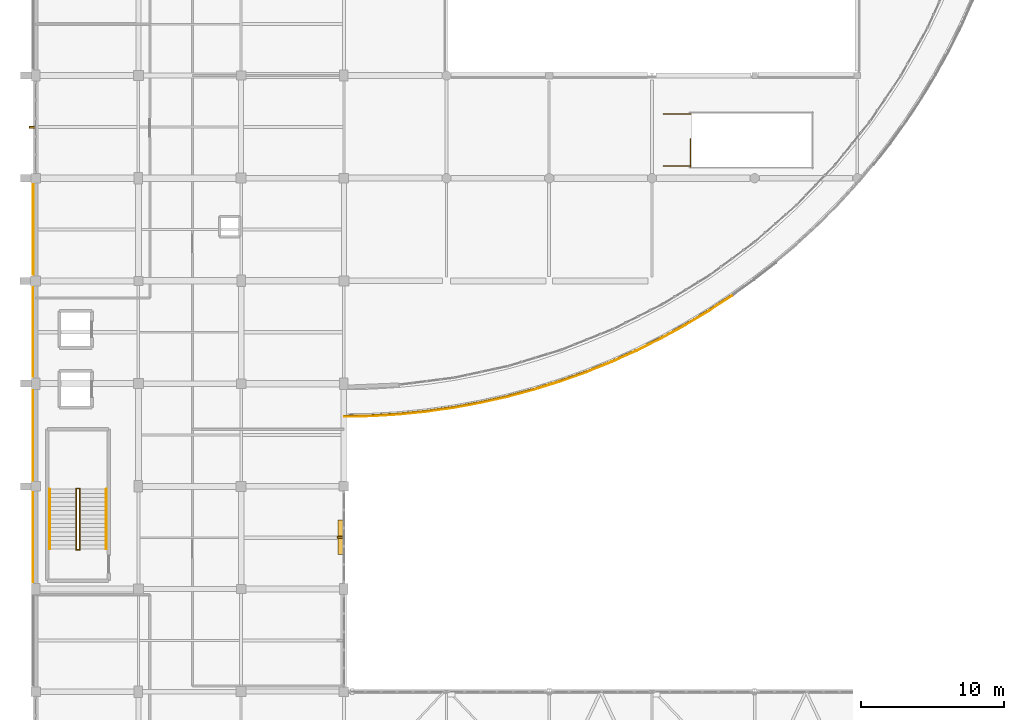
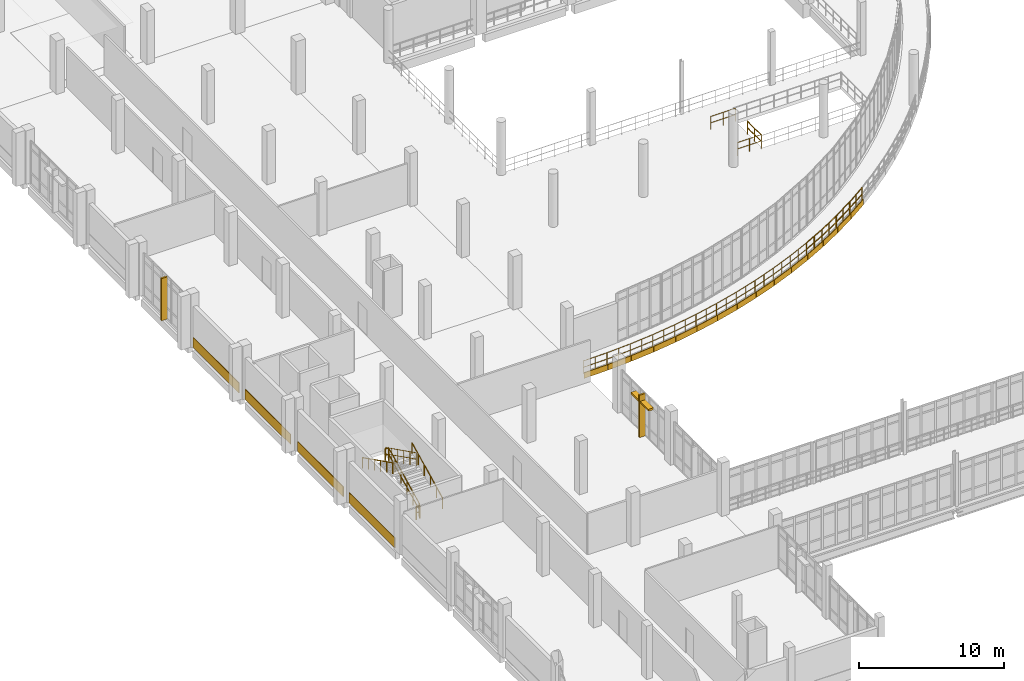
# One storey, part 110 of 116: 24 railings, 19 coverings, 3 shading devices.
"""IFC4 building model written with IfcOpenShell, lengths in metres."""

from ifc_helpers import new_model, si_unit, direction, frame, origin, origin_2d, place, context, subcontext, project, spatial, rectangle, circle, extrude, material, layer, layer_set, type_object, element, save


model = new_model("IFC4")

# Units and contexts
model_context = context("Model", 3, precision=1e-05, world=origin(), true_north=direction((0.0, 1.0)))
body_context = subcontext(model_context, "Body", "Model", "MODEL_VIEW")
ifc_project = project(units=[si_unit("LENGTHUNIT", "METRE"), si_unit("AREAUNIT", "SQUARE_METRE"), si_unit("VOLUMEUNIT", "CUBIC_METRE"), si_unit("PLANEANGLEUNIT", "RADIAN"), si_unit("MASSUNIT", "GRAM", prefix="KILO")], contexts=[model_context])

# Site, building, storey
site_placement = place(None, origin())
site = spatial("IfcSite", under=ifc_project, at=site_placement, CompositionType="ELEMENT")
building_placement = place(site_placement, origin())
building = spatial("IfcBuilding", under=site, at=building_placement, Name="Kalluvel Institute of Natural Sciences", CompositionType="ELEMENT")
storey_placement = place(building_placement, frame((0.0, 0.0, 14.39990234375)))
storey = spatial("IfcBuildingStorey", under=building, at=storey_placement, Name="L03", CompositionType="ELEMENT", Elevation=14.39990234375)

# Coverings
ifc_material_1 = material(Name="Sadarahalli Grey Granite Ashlar Concrete M40", Category="masonry")
ifc_layer = layer(ifc_material_1, 0.044921875)
ifc_layer_set = layer_set([ifc_layer], Name="Sadarahalli Grey Granite Ashlar Concrete M40")
covering_type = type_object("IfcCoveringType", Name="COV-CLAD-STONE", PredefinedType="CLADDING", material=ifc_layer_set)
for number, where, z_axis, x_axis, name in (
    (1, (13.820068359375, 46.4375, 0.025146484375), (0.0, 0.0, 1.0), (0.0, 1.0, 0.0), "L03 Sadarahalli granite plinth spandrel cladding 162"),
    (2, (13.820068359375, 53.5625, 0.025146484375), (0.0, 0.0, 1.0), (0.0, 1.0, 0.0), "L03 Sadarahalli granite plinth spandrel cladding 163"),
):
    element("IfcCovering", number, at=place(storey_placement, frame(where, z_axis=z_axis, x_axis=x_axis)), inside=storey, type_object=covering_type, Name=name, PredefinedType="CLADDING", context=body_context, shape_type="SweptSolid", body=[
        extrude(rectangle(XDim=6.31494140625, YDim=0.044921875, at=origin_2d()), origin(), (0.0, 0.0, 1.0), 0.85009765625),
    ])
covering_1_placement = place(storey_placement, frame((13.820068359375, 60.824951171875, 0.025146484375), z_axis=(0.0, 0.0, 1.0), x_axis=(0.0, 1.0, 0.0)))
element("IfcCovering", 3, at=covering_1_placement, inside=storey, type_object=covering_type, Name="L03 Sadarahalli granite plinth spandrel cladding 164", PredefinedType="CLADDING", context=body_context, shape_type="SweptSolid", body=[
    extrude(rectangle(XDim=6.2900390625, YDim=0.044921875, at=origin_2d()), origin(), (0.0, 0.0, 1.0), 0.85009765625),
])
covering_2_placement = place(storey_placement, frame((13.830078125, 68.012451171875, 0.025146484375), z_axis=(0.0, 0.0, 1.0), x_axis=(0.0, 1.0, 0.0)))
element("IfcCovering", 4, at=covering_2_placement, inside=storey, type_object=covering_type, Name="L03 Sadarahalli granite plinth spandrel cladding 165", PredefinedType="CLADDING", context=body_context, shape_type="SweptSolid", body=[
    extrude(rectangle(XDim=6.364990234375, YDim=0.044921875, at=origin_2d()), origin(), (0.0, 0.0, 1.0), 0.85009765625),
])
for number, where, z_axis, x_axis, name in (
    (5, (36.564697265625, 54.909423828125, -0.31982421875), (0.0, 0.0, 1.0), (0.999798578493, 0.020069938784, 0.0), "L03 curved terrace Sadarahalli stone spandrel fascia 292"),
    (6, (38.4921875, 54.987060546875, -0.31982421875), (0.0, 0.0, 1.0), (0.9981771751, 0.06035169517, 0.0), "L03 curved terrace Sadarahalli stone spandrel fascia 293"),
    (7, (40.4150390625, 55.142333984375, -0.31982421875), (0.0, 0.0, 1.0), (0.994933485404, 0.100535365033, 0.0), "L03 curved terrace Sadarahalli stone spandrel fascia 294"),
    (8, (42.330078125, 55.374755859375, -0.31982421875), (0.0, 0.0, 1.0), (0.990072781208, 0.14055563991, 0.0), "L03 curved terrace Sadarahalli stone spandrel fascia 295"),
    (9, (44.234375, 55.684326171875, -0.31982421875), (0.0, 0.0, 1.0), (0.983634423958, 0.180175803048, 0.0), "L03 curved terrace Sadarahalli stone spandrel fascia 296"),
    (10, (46.12451171875, 56.0703125, -0.31982421875), (0.0, 0.0, 1.0), (0.975572899489, 0.219675938108, 0.0), "L03 curved terrace Sadarahalli stone spandrel fascia 297"),
    (11, (47.99755859375, 56.531982421875, -0.31982421875), (0.0, 0.0, 1.0), (0.965925826289, 0.258819045103, 0.0), "L03 curved terrace Sadarahalli stone spandrel fascia 298"),
    (12, (49.8505859375, 57.068603515625, -0.31982421875), (0.0, 0.0, 1.0), (0.954708883255, 0.297541506743, 0.0), "L03 curved terrace Sadarahalli stone spandrel fascia 299"),
    (13, (51.680419921875, 57.679443359375, -0.31982421875), (0.0, 0.0, 1.0), (0.941998891096, 0.335615984683, 0.0), "L03 curved terrace Sadarahalli stone spandrel fascia 300"),
    (14, (53.484130859375, 58.363525390625, -0.31982421875), (0.0, 0.0, 1.0), (0.927706000077, 0.373311635797, 0.0), "L03 curved terrace Sadarahalli stone spandrel fascia 301"),
    (15, (55.2587890625, 59.11962890625, -0.31982421875), (0.0, 0.0, 1.0), (0.911905355952, 0.410400562604, 0.0), "L03 curved terrace Sadarahalli stone spandrel fascia 302"),
    (16, (57.001708984375, 59.94677734375, -0.31982421875), (0.0, 0.0, 1.0), (0.894622638699, 0.446822486371, 0.0), "L03 curved terrace Sadarahalli stone spandrel fascia 303"),
    (17, (58.7099609375, 60.84326171875, -0.31982421875), (0.0, 0.0, 1.0), (0.875970139009, 0.482365334125, 0.0), "L03 curved terrace Sadarahalli stone spandrel fascia 304"),
    (18, (60.380615234375, 61.807861328125, -0.31982421875), (0.0, 0.0, 1.0), (0.855815998251, 0.517280366086, 0.0), "L03 curved terrace Sadarahalli stone spandrel fascia 305"),
    (19, (62.010986328125, 62.8388671875, -0.31982421875), (0.0, 0.0, 1.0), (0.834270943529, 0.551354688728, 0.0), "L03 curved terrace Sadarahalli stone spandrel fascia 306"),
):
    element("IfcCovering", number, at=place(storey_placement, frame(where, z_axis=z_axis, x_axis=x_axis)), inside=storey, type_object=covering_type, Name=name, PredefinedType="CLADDING", context=body_context, shape_type="SweptSolid", body=[
        extrude(rectangle(XDim=1.88916015625, YDim=0.054931640625, at=origin_2d()), origin(), (0.0, 0.0, 1.0), 0.47998046875),
    ])

# Railings
ifc_material_2 = material(Name="Steel E350 Grade 350", Category="steel")
railing_type_1 = type_object("IfcRailingType", Name="RL-BAL-EXT", PredefinedType="BALUSTRADE", material=ifc_material_2)
railing_1_placement = place(storey_placement, frame((35.60009765625, 54.969970703125, 0.0)))
element("IfcRailing", 20, at=railing_1_placement, inside=storey, type_object=railing_type_1, Name="L03 curved atrium terrace balustrade", PredefinedType="BALUSTRADE", context=body_context, shape_type="SweptSolid", body=[
    extrude(circle(Radius=0.02392578125, at=origin_2d()), frame((0.0, 0.0, 1.09619140625), z_axis=(0.999796905516, 0.020153106995, 0.0), x_axis=(-0.020153106995, 0.999796905516, 0.0)), (0.0, 0.0, 1.0), 1.92626953125),
    extrude(circle(Radius=0.02392578125, at=origin_2d()), frame((0.0, 0.0, 0.56005859375), z_axis=(0.999796905516, 0.020153106995, 0.0), x_axis=(-0.020153106995, 0.999796905516, 0.0)), (0.0, 0.0, 1.0), 1.92626953125),
    extrude(circle(Radius=0.02099609375, at=origin_2d()), origin(), (0.0, 0.0, 1.0), 1.072021484375),
    extrude(circle(Radius=0.02099609375, at=origin_2d()), frame((0.962890625, 0.01953125, 0.0)), (0.0, 0.0, 1.0), 1.072021484375),
    extrude(circle(Radius=0.02099609375, at=origin_2d()), frame((1.92578125, 0.038818359375, 0.0)), (0.0, 0.0, 1.0), 1.072021484375),
])
railing_2_placement = place(storey_placement, frame((37.52587890625, 55.0087890625, 0.0)))
element("IfcRailing", 21, at=railing_2_placement, inside=storey, type_object=railing_type_1, Name="L03 curved atrium terrace balustrade", PredefinedType="BALUSTRADE", context=body_context, shape_type="SweptSolid", body=[
    extrude(circle(Radius=0.02392578125, at=origin_2d()), frame((0.0, 0.0, 1.09619140625), z_axis=(0.998178686306, 0.060326695617, 0.0), x_axis=(-0.060326695617, 0.998178686306, 0.0)), (0.0, 0.0, 1.0), 1.92626953125),
    extrude(circle(Radius=0.02392578125, at=origin_2d()), frame((0.0, 0.0, 0.56005859375), z_axis=(0.998178686306, 0.060326695617, 0.0), x_axis=(-0.060326695617, 0.998178686306, 0.0)), (0.0, 0.0, 1.0), 1.92626953125),
    extrude(circle(Radius=0.02099609375, at=origin_2d()), origin(), (0.0, 0.0, 1.0), 1.072021484375),
    extrude(circle(Radius=0.02099609375, at=origin_2d()), frame((0.96142578125, 0.05810546875, 0.0)), (0.0, 0.0, 1.0), 1.072021484375),
    extrude(circle(Radius=0.02099609375, at=origin_2d()), frame((1.9228515625, 0.1162109375, 0.0)), (0.0, 0.0, 1.0), 1.072021484375),
])
railing_3_placement = place(storey_placement, frame((39.44873046875, 55.125, 0.0)))
element("IfcRailing", 22, at=railing_3_placement, inside=storey, type_object=railing_type_1, Name="L03 curved atrium terrace balustrade", PredefinedType="BALUSTRADE", context=body_context, shape_type="SweptSolid", body=[
    extrude(circle(Radius=0.02392578125, at=origin_2d()), frame((0.0, 0.0, 1.09619140625), z_axis=(0.994936292907, 0.100507577105, 0.0), x_axis=(-0.100507577105, 0.994936292907, 0.0)), (0.0, 0.0, 1.0), 1.92626953125),
    extrude(circle(Radius=0.02392578125, at=origin_2d()), frame((0.0, 0.0, 0.56005859375), z_axis=(0.994936292907, 0.100507577105, 0.0), x_axis=(-0.100507577105, 0.994936292907, 0.0)), (0.0, 0.0, 1.0), 1.92626953125),
    extrude(circle(Radius=0.02099609375, at=origin_2d()), origin(), (0.0, 0.0, 1.0), 1.072021484375),
    extrude(circle(Radius=0.02099609375, at=origin_2d()), frame((0.958251953125, 0.0966796875, 0.0)), (0.0, 0.0, 1.0), 1.072021484375),
    extrude(circle(Radius=0.02099609375, at=origin_2d()), frame((1.91650390625, 0.193603515625, 0.0)), (0.0, 0.0, 1.0), 1.072021484375),
])
railing_4_placement = place(storey_placement, frame((41.365234375, 55.318603515625, 0.0)))
element("IfcRailing", 23, at=railing_4_placement, inside=storey, type_object=railing_type_1, Name="L03 curved atrium terrace balustrade", PredefinedType="BALUSTRADE", context=body_context, shape_type="SweptSolid", body=[
    extrude(circle(Radius=0.02392578125, at=origin_2d()), frame((0.0, 0.0, 1.09619140625), z_axis=(0.990073314625, 0.140551882478, 0.0), x_axis=(-0.140551882478, 0.990073314625, 0.0)), (0.0, 0.0, 1.0), 1.92626953125),
    extrude(circle(Radius=0.02392578125, at=origin_2d()), frame((0.0, 0.0, 0.56005859375), z_axis=(0.990073314625, 0.140551882478, 0.0), x_axis=(-0.140551882478, 0.990073314625, 0.0)), (0.0, 0.0, 1.0), 1.92626953125),
    extrude(circle(Radius=0.02099609375, at=origin_2d()), origin(), (0.0, 0.0, 1.0), 1.072021484375),
    extrude(circle(Radius=0.02099609375, at=origin_2d()), frame((0.95361328125, 0.13525390625, 0.0)), (0.0, 0.0, 1.0), 1.072021484375),
    extrude(circle(Radius=0.02099609375, at=origin_2d()), frame((1.9072265625, 0.270751953125, 0.0)), (0.0, 0.0, 1.0), 1.072021484375),
])
railing_5_placement = place(storey_placement, frame((43.2724609375, 55.58935546875, 0.0)))
element("IfcRailing", 24, at=railing_5_placement, inside=storey, type_object=railing_type_1, Name="L03 curved atrium terrace balustrade", PredefinedType="BALUSTRADE", context=body_context, shape_type="SweptSolid", body=[
    extrude(circle(Radius=0.02392578125, at=origin_2d()), frame((0.0, 0.0, 1.09619140625), z_axis=(0.983625659861, 0.180223642356, 0.0), x_axis=(-0.180223642356, 0.983625659861, 0.0)), (0.0, 0.0, 1.0), 1.92626953125),
    extrude(circle(Radius=0.02392578125, at=origin_2d()), frame((0.0, 0.0, 0.56005859375), z_axis=(0.983625659861, 0.180223642356, 0.0), x_axis=(-0.180223642356, 0.983625659861, 0.0)), (0.0, 0.0, 1.0), 1.92626953125),
    extrude(circle(Radius=0.02099609375, at=origin_2d()), origin(), (0.0, 0.0, 1.0), 1.072021484375),
    extrude(circle(Radius=0.02099609375, at=origin_2d()), frame((0.947265625, 0.173583984375, 0.0)), (0.0, 0.0, 1.0), 1.072021484375),
    extrude(circle(Radius=0.02099609375, at=origin_2d()), frame((1.894775390625, 0.34716796875, 0.0)), (0.0, 0.0, 1.0), 1.072021484375),
])
railing_6_placement = place(storey_placement, frame((45.167236328125, 55.9365234375, 0.0)))
element("IfcRailing", 25, at=railing_6_placement, inside=storey, type_object=railing_type_1, Name="L03 curved atrium terrace balustrade", PredefinedType="BALUSTRADE", context=body_context, shape_type="SweptSolid", body=[
    extrude(circle(Radius=0.02392578125, at=origin_2d()), frame((0.0, 0.0, 1.09619140625), z_axis=(0.97555068407, 0.219774572714, 0.0), x_axis=(-0.219774572714, 0.97555068407, 0.0)), (0.0, 0.0, 1.0), 1.92626953125),
    extrude(circle(Radius=0.02392578125, at=origin_2d()), frame((0.0, 0.0, 0.56005859375), z_axis=(0.97555068407, 0.219774572714, 0.0), x_axis=(-0.219774572714, 0.97555068407, 0.0)), (0.0, 0.0, 1.0), 1.92626953125),
    extrude(circle(Radius=0.02099609375, at=origin_2d()), origin(), (0.0, 0.0, 1.0), 1.072021484375),
    extrude(circle(Radius=0.02099609375, at=origin_2d()), frame((0.939453125, 0.211669921875, 0.0)), (0.0, 0.0, 1.0), 1.072021484375),
    extrude(circle(Radius=0.02099609375, at=origin_2d()), frame((1.879150390625, 0.42333984375, 0.0)), (0.0, 0.0, 1.0), 1.072021484375),
])
railing_7_placement = place(storey_placement, frame((47.04638671875, 56.35986328125, 0.0)))
element("IfcRailing", 26, at=railing_7_placement, inside=storey, type_object=railing_type_1, Name="L03 curved atrium terrace balustrade", PredefinedType="BALUSTRADE", context=body_context, shape_type="SweptSolid", body=[
    extrude(circle(Radius=0.02392578125, at=origin_2d()), frame((0.0, 0.0, 1.09619140625), z_axis=(0.965927118939, 0.25881422082, 0.0), x_axis=(-0.25881422082, 0.965927118939, 0.0)), (0.0, 0.0, 1.0), 1.92626953125),
    extrude(circle(Radius=0.02392578125, at=origin_2d()), frame((0.0, 0.0, 0.56005859375), z_axis=(0.965927118939, 0.25881422082, 0.0), x_axis=(-0.25881422082, 0.965927118939, 0.0)), (0.0, 0.0, 1.0), 1.92626953125),
    extrude(circle(Radius=0.02099609375, at=origin_2d()), origin(), (0.0, 0.0, 1.0), 1.072021484375),
    extrude(circle(Radius=0.02099609375, at=origin_2d()), frame((0.93017578125, 0.249267578125, 0.0)), (0.0, 0.0, 1.0), 1.072021484375),
    extrude(circle(Radius=0.02099609375, at=origin_2d()), frame((1.860595703125, 0.49853515625, 0.0)), (0.0, 0.0, 1.0), 1.072021484375),
])
railing_8_placement = place(storey_placement, frame((48.906982421875, 56.8583984375, 0.0)))
element("IfcRailing", 27, at=railing_8_placement, inside=storey, type_object=railing_type_1, Name="L03 curved atrium terrace balustrade", PredefinedType="BALUSTRADE", context=body_context, shape_type="SweptSolid", body=[
    extrude(circle(Radius=0.02392578125, at=origin_2d()), frame((0.0, 0.0, 1.09619140625), z_axis=(0.954734463326, 0.297459416624, 0.0), x_axis=(-0.297459416624, 0.954734463326, 0.0)), (0.0, 0.0, 1.0), 1.92626953125),
    extrude(circle(Radius=0.02392578125, at=origin_2d()), frame((0.0, 0.0, 0.56005859375), z_axis=(0.954734463326, 0.297459416624, 0.0), x_axis=(-0.297459416624, 0.954734463326, 0.0)), (0.0, 0.0, 1.0), 1.92626953125),
    extrude(circle(Radius=0.02099609375, at=origin_2d()), origin(), (0.0, 0.0, 1.0), 1.072021484375),
    extrude(circle(Radius=0.02099609375, at=origin_2d()), frame((0.91943359375, 0.28662109375, 0.0)), (0.0, 0.0, 1.0), 1.072021484375),
    extrude(circle(Radius=0.02099609375, at=origin_2d()), frame((1.839111328125, 0.572998046875, 0.0)), (0.0, 0.0, 1.0), 1.072021484375),
])
railing_9_placement = place(storey_placement, frame((50.74609375, 57.431396484375, 0.0)))
element("IfcRailing", 28, at=railing_9_placement, inside=storey, type_object=railing_type_1, Name="L03 curved atrium terrace balustrade", PredefinedType="BALUSTRADE", context=body_context, shape_type="SweptSolid", body=[
    extrude(circle(Radius=0.02392578125, at=origin_2d()), frame((0.0, 0.0, 1.09619140625), z_axis=(0.941968202591, 0.335702107987, 0.0), x_axis=(-0.335702107987, 0.941968202591, 0.0)), (0.0, 0.0, 1.0), 1.926513671875),
    extrude(circle(Radius=0.02392578125, at=origin_2d()), frame((0.0, 0.0, 0.56005859375), z_axis=(0.941968202591, 0.335702107987, 0.0), x_axis=(-0.335702107987, 0.941968202591, 0.0)), (0.0, 0.0, 1.0), 1.926513671875),
    extrude(circle(Radius=0.02099609375, at=origin_2d()), origin(), (0.0, 0.0, 1.0), 1.072021484375),
    extrude(circle(Radius=0.02099609375, at=origin_2d()), frame((0.9072265625, 0.3232421875, 0.0)), (0.0, 0.0, 1.0), 1.072021484375),
    extrude(circle(Radius=0.02099609375, at=origin_2d()), frame((1.814697265625, 0.646728515625, 0.0)), (0.0, 0.0, 1.0), 1.072021484375),
])
railing_10_placement = place(storey_placement, frame((52.560791015625, 58.078125, 0.0)))
element("IfcRailing", 29, at=railing_10_placement, inside=storey, type_object=railing_type_1, Name="L03 curved atrium terrace balustrade", PredefinedType="BALUSTRADE", context=body_context, shape_type="SweptSolid", body=[
    extrude(circle(Radius=0.02392578125, at=origin_2d()), frame((0.0, 0.0, 1.09619140625), z_axis=(0.927687987585, 0.373356395004, 0.0), x_axis=(-0.373356395004, 0.927687987585, 0.0)), (0.0, 0.0, 1.0), 1.926513671875),
    extrude(circle(Radius=0.02392578125, at=origin_2d()), frame((0.0, 0.0, 0.56005859375), z_axis=(0.927687987585, 0.373356395004, 0.0), x_axis=(-0.373356395004, 0.927687987585, 0.0)), (0.0, 0.0, 1.0), 1.926513671875),
    extrude(circle(Radius=0.02099609375, at=origin_2d()), origin(), (0.0, 0.0, 1.0), 1.072021484375),
    extrude(circle(Radius=0.02099609375, at=origin_2d()), frame((0.8935546875, 0.359619140625, 0.0)), (0.0, 0.0, 1.0), 1.072021484375),
    extrude(circle(Radius=0.02099609375, at=origin_2d()), frame((1.787109375, 0.71923828125, 0.0)), (0.0, 0.0, 1.0), 1.072021484375),
])
railing_11_placement = place(storey_placement, frame((54.347900390625, 58.79736328125, 0.0)))
element("IfcRailing", 30, at=railing_11_placement, inside=storey, type_object=railing_type_1, Name="L03 curved atrium terrace balustrade", PredefinedType="BALUSTRADE", context=body_context, shape_type="SweptSolid", body=[
    extrude(circle(Radius=0.02392578125, at=origin_2d()), frame((0.0, 0.0, 1.09619140625), z_axis=(0.911909647422, 0.410391026873, 0.0), x_axis=(-0.410391026873, 0.911909647422, 0.0)), (0.0, 0.0, 1.0), 1.92626953125),
    extrude(circle(Radius=0.02392578125, at=origin_2d()), frame((0.0, 0.0, 0.56005859375), z_axis=(0.911909647422, 0.410391026873, 0.0), x_axis=(-0.410391026873, 0.911909647422, 0.0)), (0.0, 0.0, 1.0), 1.92626953125),
    extrude(circle(Radius=0.02099609375, at=origin_2d()), origin(), (0.0, 0.0, 1.0), 1.072021484375),
    extrude(circle(Radius=0.02099609375, at=origin_2d()), frame((0.87841796875, 0.395263671875, 0.0)), (0.0, 0.0, 1.0), 1.072021484375),
    extrude(circle(Radius=0.02099609375, at=origin_2d()), frame((1.756591796875, 0.79052734375, 0.0)), (0.0, 0.0, 1.0), 1.072021484375),
])
railing_12_placement = place(storey_placement, frame((56.1044921875, 59.587890625, 0.0)))
element("IfcRailing", 31, at=railing_12_placement, inside=storey, type_object=railing_type_1, Name="L03 curved atrium terrace balustrade", PredefinedType="BALUSTRADE", context=body_context, shape_type="SweptSolid", body=[
    extrude(circle(Radius=0.02392578125, at=origin_2d()), frame((0.0, 0.0, 1.09619140625), z_axis=(0.894579235487, 0.446909377207, 0.0), x_axis=(-0.446909377207, 0.894579235487, 0.0)), (0.0, 0.0, 1.0), 1.92626953125),
    extrude(circle(Radius=0.02392578125, at=origin_2d()), frame((0.0, 0.0, 0.56005859375), z_axis=(0.894579235487, 0.446909377207, 0.0), x_axis=(-0.446909377207, 0.894579235487, 0.0)), (0.0, 0.0, 1.0), 1.92626953125),
    extrude(circle(Radius=0.02099609375, at=origin_2d()), origin(), (0.0, 0.0, 1.0), 1.072021484375),
    extrude(circle(Radius=0.02099609375, at=origin_2d()), frame((0.861572265625, 0.430419921875, 0.0)), (0.0, 0.0, 1.0), 1.072021484375),
    extrude(circle(Radius=0.02099609375, at=origin_2d()), frame((1.72314453125, 0.86083984375, 0.0)), (0.0, 0.0, 1.0), 1.072021484375),
])
railing_13_placement = place(storey_placement, frame((57.82763671875, 60.44873046875, 0.0)))
element("IfcRailing", 32, at=railing_13_placement, inside=storey, type_object=railing_type_1, Name="L03 curved atrium terrace balustrade", PredefinedType="BALUSTRADE", context=body_context, shape_type="SweptSolid", body=[
    extrude(circle(Radius=0.02392578125, at=origin_2d()), frame((0.0, 0.0, 1.09619140625), z_axis=(0.87595084758, 0.482400365488, 0.0), x_axis=(-0.482400365488, 0.87595084758, 0.0)), (0.0, 0.0, 1.0), 1.92626953125),
    extrude(circle(Radius=0.02392578125, at=origin_2d()), frame((0.0, 0.0, 0.56005859375), z_axis=(0.87595084758, 0.482400365488, 0.0), x_axis=(-0.482400365488, 0.87595084758, 0.0)), (0.0, 0.0, 1.0), 1.92626953125),
    extrude(circle(Radius=0.02099609375, at=origin_2d()), origin(), (0.0, 0.0, 1.0), 1.072021484375),
    extrude(circle(Radius=0.02099609375, at=origin_2d()), frame((0.84375, 0.464599609375, 0.0)), (0.0, 0.0, 1.0), 1.072021484375),
    extrude(circle(Radius=0.02099609375, at=origin_2d()), frame((1.687255859375, 0.92919921875, 0.0)), (0.0, 0.0, 1.0), 1.072021484375),
])
railing_14_placement = place(storey_placement, frame((59.514892578125, 61.3779296875, 0.0)))
element("IfcRailing", 33, at=railing_14_placement, inside=storey, type_object=railing_type_1, Name="L03 curved atrium terrace balustrade", PredefinedType="BALUSTRADE", context=body_context, shape_type="SweptSolid", body=[
    extrude(circle(Radius=0.02392578125, at=origin_2d()), frame((0.0, 0.0, 1.09619140625), z_axis=(0.855799832613, 0.517307110429, 0.0), x_axis=(-0.517307110429, 0.855799832613, 0.0)), (0.0, 0.0, 1.0), 1.926513671875),
    extrude(circle(Radius=0.02392578125, at=origin_2d()), frame((0.0, 0.0, 0.56005859375), z_axis=(0.855799832613, 0.517307110429, 0.0), x_axis=(-0.517307110429, 0.855799832613, 0.0)), (0.0, 0.0, 1.0), 1.926513671875),
    extrude(circle(Radius=0.02099609375, at=origin_2d()), origin(), (0.0, 0.0, 1.0), 1.072021484375),
    extrude(circle(Radius=0.02099609375, at=origin_2d()), frame((0.82421875, 0.498291015625, 0.0)), (0.0, 0.0, 1.0), 1.072021484375),
    extrude(circle(Radius=0.02099609375, at=origin_2d()), frame((1.648681640625, 0.99658203125, 0.0)), (0.0, 0.0, 1.0), 1.072021484375),
])
railing_15_placement = place(storey_placement, frame((61.16357421875, 62.37451171875, 0.0)))
element("IfcRailing", 34, at=railing_15_placement, inside=storey, type_object=railing_type_1, Name="L03 curved atrium terrace balustrade", PredefinedType="BALUSTRADE", context=body_context, shape_type="SweptSolid", body=[
    extrude(circle(Radius=0.02392578125, at=origin_2d()), frame((0.0, 0.0, 1.09619140625), z_axis=(0.834208304467, 0.551449458027, 0.0), x_axis=(-0.551449458027, 0.834208304467, 0.0)), (0.0, 0.0, 1.0), 1.92626953125),
    extrude(circle(Radius=0.02392578125, at=origin_2d()), frame((0.0, 0.0, 0.56005859375), z_axis=(0.834208304467, 0.551449458027, 0.0), x_axis=(-0.551449458027, 0.834208304467, 0.0)), (0.0, 0.0, 1.0), 1.92626953125),
    extrude(circle(Radius=0.02099609375, at=origin_2d()), origin(), (0.0, 0.0, 1.0), 1.072021484375),
    extrude(circle(Radius=0.02099609375, at=origin_2d()), frame((0.803466796875, 0.53125, 0.0)), (0.0, 0.0, 1.0), 1.072021484375),
    extrude(circle(Radius=0.02099609375, at=origin_2d()), frame((1.60693359375, 1.062255859375, 0.0)), (0.0, 0.0, 1.0), 1.072021484375),
])
ifc_material_3 = material(Name="Galvanized Fire-Rated Steel", Category="steel")
railing_type_2 = type_object("IfcRailingType", Name="RL-GD-STAIR", PredefinedType="BALUSTRADE", material=ifc_material_3)
railing_16_placement = place(storey_placement, frame((17.090087890625, 45.60009765625, 0.150146484375)))
element("IfcRailing", 35, at=railing_16_placement, inside=storey, type_object=railing_type_2, Name="L03 ST4 stair guard 1", PredefinedType="BALUSTRADE", context=body_context, shape_type="SweptSolid", body=[
    extrude(circle(Radius=0.02392578125, at=origin_2d()), frame((0.0, 0.0, 1.09619140625), z_axis=(0.0, 0.894437589381, 0.447192798132), x_axis=(-1.0, 0.0, 0.0)), (0.0, 0.0, 1.0), 4.695556640625),
    extrude(circle(Radius=0.02392578125, at=origin_2d()), frame((0.0, 0.0, 0.56005859375), z_axis=(0.0, 0.894437589381, 0.447192798132), x_axis=(-1.0, 0.0, 0.0)), (0.0, 0.0, 1.0), 4.695556640625),
    extrude(circle(Radius=0.02099609375, at=origin_2d()), origin(), (0.0, 0.0, 1.0), 1.072021484375),
    extrude(circle(Radius=0.02099609375, at=origin_2d()), frame((0.0, 0.840087890625, 0.419921875)), (0.0, 0.0, 1.0), 1.072021484375),
    extrude(circle(Radius=0.02099609375, at=origin_2d()), frame((0.0, 1.679931640625, 0.83984375)), (0.0, 0.0, 1.0), 1.072021484375),
    extrude(circle(Radius=0.02099609375, at=origin_2d()), frame((0.0, 2.52001953125, 1.260009765625)), (0.0, 0.0, 1.0), 1.072021484375),
    extrude(circle(Radius=0.02099609375, at=origin_2d()), frame((0.0, 3.35986328125, 1.679931640625)), (0.0, 0.0, 1.0), 1.072021484375),
    extrude(circle(Radius=0.02099609375, at=origin_2d()), frame((0.0, 4.199951171875, 2.099853515625)), (0.0, 0.0, 1.0), 1.072021484375),
])
railing_17_placement = place(storey_placement, frame((17.10498046875, 49.85009765625, 2.25)))
element("IfcRailing", 36, at=railing_17_placement, inside=storey, type_object=railing_type_2, Name="L03 ST4 stair guard 2", PredefinedType="BALUSTRADE", context=body_context, shape_type="SweptSolid", body=[
    extrude(circle(Radius=0.02392578125, at=origin_2d()), frame((0.0, 0.0, 1.09619140625), z_axis=(-1.0, 0.0, 0.0), x_axis=(0.0, -1.0, 0.0)), (0.0, 0.0, 1.0), 0.280029296875),
    extrude(circle(Radius=0.02392578125, at=origin_2d()), frame((0.0, 0.0, 0.56005859375), z_axis=(-1.0, 0.0, 0.0), x_axis=(0.0, -1.0, 0.0)), (0.0, 0.0, 1.0), 0.280029296875),
    extrude(circle(Radius=0.02099609375, at=origin_2d()), origin(), (0.0, 0.0, 1.0), 1.072021484375),
    extrude(circle(Radius=0.02099609375, at=origin_2d()), frame((-0.280029296875, 0.0, 0.0)), (0.0, 0.0, 1.0), 1.072021484375),
])
railing_18_placement = place(storey_placement, frame((16.840087890625, 49.800048828125, 2.400146484375)))
element("IfcRailing", 37, at=railing_18_placement, inside=storey, type_object=railing_type_2, Name="L03 ST4 stair guard 3", PredefinedType="BALUSTRADE", context=body_context, shape_type="SweptSolid", body=[
    extrude(circle(Radius=0.02392578125, at=origin_2d()), frame((0.0, 0.0, 1.09619140625), z_axis=(0.0, -0.894437589381, 0.447192798132), x_axis=(1.0, 0.0, 0.0)), (0.0, 0.0, 1.0), 4.695556640625),
    extrude(circle(Radius=0.02392578125, at=origin_2d()), frame((0.0, 0.0, 0.56005859375), z_axis=(0.0, -0.894437589381, 0.447192798132), x_axis=(1.0, 0.0, 0.0)), (0.0, 0.0, 1.0), 4.695556640625),
    extrude(circle(Radius=0.02099609375, at=origin_2d()), origin(), (0.0, 0.0, 1.0), 1.072021484375),
    extrude(circle(Radius=0.02099609375, at=origin_2d()), frame((0.0, -0.840087890625, 0.419921875)), (0.0, 0.0, 1.0), 1.072021484375),
    extrude(circle(Radius=0.02099609375, at=origin_2d()), frame((0.0, -1.679931640625, 0.83984375)), (0.0, 0.0, 1.0), 1.072021484375),
    extrude(circle(Radius=0.02099609375, at=origin_2d()), frame((0.0, -2.52001953125, 1.260009765625)), (0.0, 0.0, 1.0), 1.072021484375),
    extrude(circle(Radius=0.02099609375, at=origin_2d()), frame((0.0, -3.35986328125, 1.679931640625)), (0.0, 0.0, 1.0), 1.072021484375),
    extrude(circle(Radius=0.02099609375, at=origin_2d()), frame((0.0, -4.199951171875, 2.099853515625)), (0.0, 0.0, 1.0), 1.072021484375),
])
railing_19_placement = place(storey_placement, frame((17.10498046875, 45.550048828125, 0.0)))
element("IfcRailing", 38, at=railing_19_placement, inside=storey, type_object=railing_type_2, Name="L03 ST4 stair guard 4", PredefinedType="BALUSTRADE", context=body_context, shape_type="SweptSolid", body=[
    extrude(circle(Radius=0.02392578125, at=origin_2d()), frame((0.0, 0.0, 1.09619140625), z_axis=(-1.0, 0.0, 0.0), x_axis=(0.0, -1.0, 0.0)), (0.0, 0.0, 1.0), 0.280029296875),
    extrude(circle(Radius=0.02392578125, at=origin_2d()), frame((0.0, 0.0, 0.56005859375), z_axis=(-1.0, 0.0, 0.0), x_axis=(0.0, -1.0, 0.0)), (0.0, 0.0, 1.0), 0.280029296875),
    extrude(circle(Radius=0.02099609375, at=origin_2d()), origin(), (0.0, 0.0, 1.0), 1.072021484375),
    extrude(circle(Radius=0.02099609375, at=origin_2d()), frame((-0.280029296875, 0.0, 0.0)), (0.0, 0.0, 1.0), 1.072021484375),
])
railing_20_placement = place(storey_placement, frame((59.89990234375, 72.39990234375, 0.0)))
element("IfcRailing", 39, at=railing_20_placement, inside=storey, type_object=railing_type_2, Name="L03 ST6 top well guard 1", PredefinedType="BALUSTRADE", context=body_context, shape_type="SweptSolid", body=[
    extrude(circle(Radius=0.02392578125, at=origin_2d()), frame((0.0, 0.0, 1.09619140625), z_axis=(0.0, 1.0, 0.0), x_axis=(-1.0, 0.0, 0.0)), (0.0, 0.0, 1.0), 1.9501953125),
    extrude(circle(Radius=0.02392578125, at=origin_2d()), frame((0.0, 0.0, 0.56005859375), z_axis=(0.0, 1.0, 0.0), x_axis=(-1.0, 0.0, 0.0)), (0.0, 0.0, 1.0), 1.9501953125),
    extrude(circle(Radius=0.02099609375, at=origin_2d()), origin(), (0.0, 0.0, 1.0), 1.072021484375),
    extrude(circle(Radius=0.02099609375, at=origin_2d()), frame((0.0, 0.97509765625, 0.0)), (0.0, 0.0, 1.0), 1.072021484375),
    extrude(circle(Radius=0.02099609375, at=origin_2d()), frame((0.0, 1.9501953125, 0.0)), (0.0, 0.0, 1.0), 1.072021484375),
])
for number, where, name in (
    (40, (58.0, 72.449951171875, 0.0), "L03 ST6 top well guard 5"),
    (41, (58.0, 76.10009765625, 0.0), "L03 ST6 top well guard 6"),
):
    element("IfcRailing", number, at=place(storey_placement, frame(where)), inside=storey, type_object=railing_type_2, Name=name, PredefinedType="BALUSTRADE", context=body_context, shape_type="SweptSolid", body=[
        extrude(circle(Radius=0.02392578125, at=origin_2d()), frame((0.0, 0.0, 1.09619140625), z_axis=(1.0, 0.0, 0.0), x_axis=(0.0, 1.0, 0.0)), (0.0, 0.0, 1.0), 1.949951171875),
        extrude(circle(Radius=0.02392578125, at=origin_2d()), frame((0.0, 0.0, 0.56005859375), z_axis=(1.0, 0.0, 0.0), x_axis=(0.0, 1.0, 0.0)), (0.0, 0.0, 1.0), 1.949951171875),
        extrude(circle(Radius=0.02099609375, at=origin_2d()), origin(), (0.0, 0.0, 1.0), 1.072021484375),
        extrude(circle(Radius=0.02099609375, at=origin_2d()), frame((0.97509765625, 0.0, 0.0)), (0.0, 0.0, 1.0), 1.072021484375),
        extrude(circle(Radius=0.02099609375, at=origin_2d()), frame((1.949951171875, 0.0, 0.0)), (0.0, 0.0, 1.0), 1.072021484375),
    ])
railing_type_3 = type_object("IfcRailingType", Name="RL-HR-STAIR", PredefinedType="HANDRAIL", material=ifc_material_3)
railing_21_placement = place(storey_placement, frame((18.949951171875, 45.60009765625, 0.150146484375)))
element("IfcRailing", 42, at=railing_21_placement, inside=storey, type_object=railing_type_3, Name="L03 ST4 stair handrail 1", PredefinedType="HANDRAIL", context=body_context, shape_type="SweptSolid", body=[
    extrude(circle(Radius=0.02392578125, at=origin_2d()), frame((0.0, 0.0, 0.89599609375), z_axis=(0.0, 0.894437589381, 0.447192798132), x_axis=(-1.0, 0.0, 0.0)), (0.0, 0.0, 1.0), 4.695556640625),
    extrude(circle(Radius=0.02099609375, at=origin_2d()), origin(), (0.0, 0.0, 1.0), 0.871826171875),
    extrude(circle(Radius=0.02099609375, at=origin_2d()), frame((0.0, 0.840087890625, 0.419921875)), (0.0, 0.0, 1.0), 0.871826171875),
    extrude(circle(Radius=0.02099609375, at=origin_2d()), frame((0.0, 1.679931640625, 0.83984375)), (0.0, 0.0, 1.0), 0.871826171875),
    extrude(circle(Radius=0.02099609375, at=origin_2d()), frame((0.0, 2.52001953125, 1.260009765625)), (0.0, 0.0, 1.0), 0.871826171875),
    extrude(circle(Radius=0.02099609375, at=origin_2d()), frame((0.0, 3.35986328125, 1.679931640625)), (0.0, 0.0, 1.0), 0.871826171875),
    extrude(circle(Radius=0.02099609375, at=origin_2d()), frame((0.0, 4.199951171875, 2.099853515625)), (0.0, 0.0, 1.0), 0.871826171875),
])
railing_22_placement = place(storey_placement, frame((14.97998046875, 49.800048828125, 2.400146484375)))
element("IfcRailing", 43, at=railing_22_placement, inside=storey, type_object=railing_type_3, Name="L03 ST4 stair handrail 2", PredefinedType="HANDRAIL", context=body_context, shape_type="SweptSolid", body=[
    extrude(circle(Radius=0.02392578125, at=origin_2d()), frame((0.0, 0.0, 0.89599609375), z_axis=(0.0, -0.894437589381, 0.447192798132), x_axis=(1.0, 0.0, 0.0)), (0.0, 0.0, 1.0), 4.695556640625),
    extrude(circle(Radius=0.02099609375, at=origin_2d()), origin(), (0.0, 0.0, 1.0), 0.871826171875),
    extrude(circle(Radius=0.02099609375, at=origin_2d()), frame((0.0, -0.840087890625, 0.419921875)), (0.0, 0.0, 1.0), 0.871826171875),
    extrude(circle(Radius=0.02099609375, at=origin_2d()), frame((0.0, -1.679931640625, 0.83984375)), (0.0, 0.0, 1.0), 0.871826171875),
    extrude(circle(Radius=0.02099609375, at=origin_2d()), frame((0.0, -2.52001953125, 1.260009765625)), (0.0, 0.0, 1.0), 0.871826171875),
    extrude(circle(Radius=0.02099609375, at=origin_2d()), frame((0.0, -3.35986328125, 1.679931640625)), (0.0, 0.0, 1.0), 0.871826171875),
    extrude(circle(Radius=0.02099609375, at=origin_2d()), frame((0.0, -4.199951171875, 2.099853515625)), (0.0, 0.0, 1.0), 0.871826171875),
])

# Shading devices
shading_device_type_1 = type_object("IfcShadingDeviceType", Name="SHD-FIN-STONE", PredefinedType="USERDEFINED", material=ifc_material_1)
for number, where, z_axis, x_axis, name in (
    (44, (13.780029296875, 75.16259765625, 0.0), (0.0, 0.0, 1.0), (0.0, 1.0, 0.0), "L03 monsoon lancet shading fin 155"),
    (45, (35.3798828125, 46.4375, 0.0), (0.0, 0.0, 1.0), (0.0, 1.0, 0.0), "L03 monsoon lancet shading fin 162"),
):
    element("IfcShadingDevice", number, at=place(storey_placement, frame(where, z_axis=z_axis, x_axis=x_axis)), inside=storey, type_object=shading_device_type_1, Name=name, ObjectType="MONSOON FIN", PredefinedType="USERDEFINED", context=body_context, shape_type="SweptSolid", body=[
        extrude(rectangle(XDim=0.139892578125, YDim=0.47998046875, at=origin_2d()), origin(), (0.0, 0.0, 1.0), 3.570068359375),
    ])
ifc_material_4 = material(Name="Aluminium AW-6063 T6", Category="aluminium")
shading_device_type_2 = type_object("IfcShadingDeviceType", Name="SHD-LOUV-ALU", PredefinedType="JALOUSIE", material=ifc_material_4)
shading_device_placement = place(storey_placement, frame((35.39990234375, 46.4375, 2.89013671875), z_axis=(0.0, 0.0, 1.0), x_axis=(0.0, 1.0, 0.0)))
element("IfcShadingDevice", 46, at=shading_device_placement, inside=storey, type_object=shading_device_type_2, Name="L03 aluminium sun-shading louvre 163", PredefinedType="JALOUSIE", context=body_context, shape_type="SweptSolid", body=[
    extrude(rectangle(XDim=2.39990234375, YDim=0.419921875, at=origin_2d()), origin(), (0.0, 0.0, 1.0), 0.159912109375),
])

save(model, "model.ifc")
